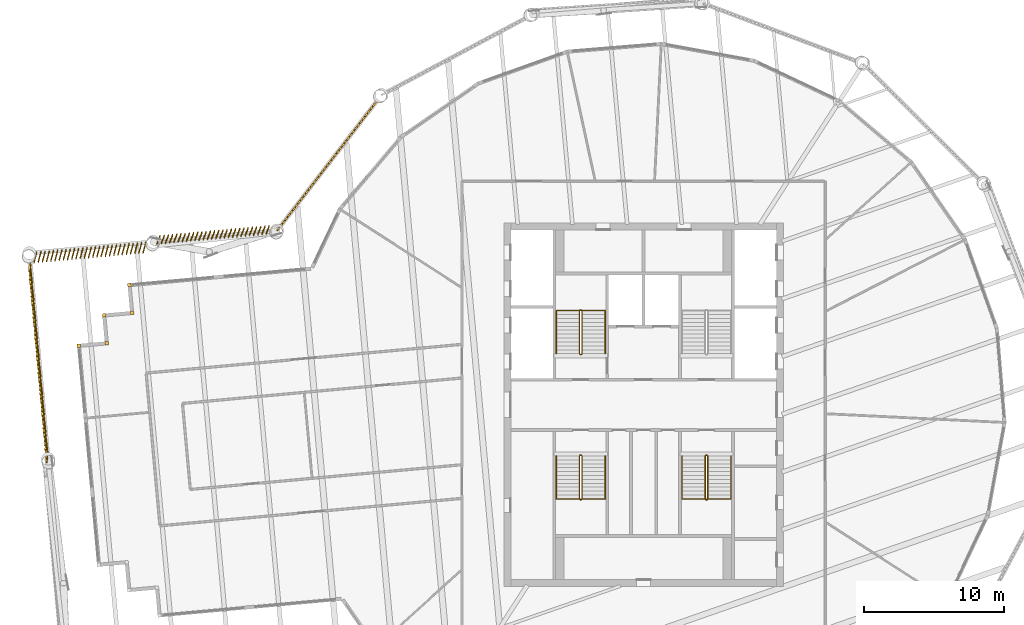
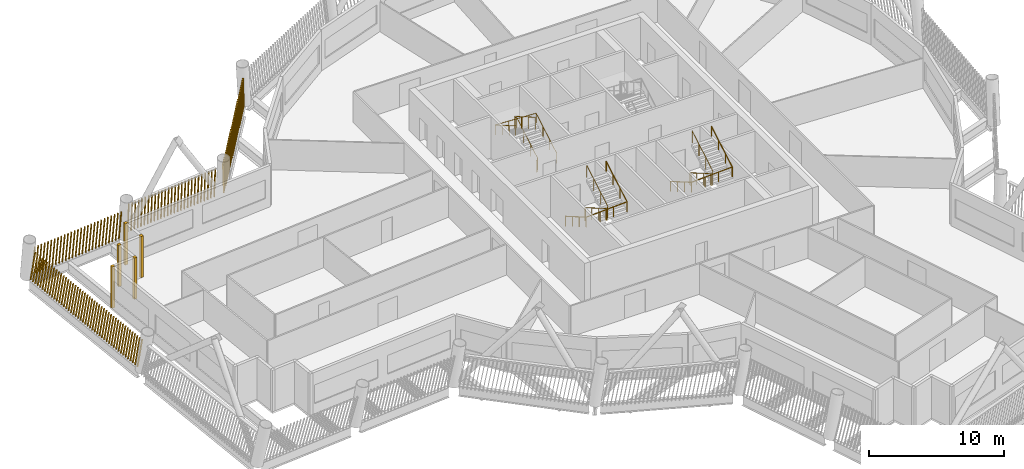
# One storey, part 20 of 23: 9 shading devices, 6 railings.
"""IFC4 building model written with IfcOpenShell, lengths in metres."""

from ifc_helpers import new_model, si_unit, direction, frame, frame_2d, origin, origin_2d, place, context, subcontext, project, spatial, rectangle, circle, composite_profile, extrude, material, type_object, element, save


model = new_model("IFC4")

# Units and contexts
model_context = context("Model", 3, precision=1e-05, world=origin(), true_north=direction((0.0, 1.0)))
body_context = subcontext(model_context, "Body", "Model", "MODEL_VIEW")
ifc_project = project(units=[si_unit("LENGTHUNIT", "METRE"), si_unit("AREAUNIT", "SQUARE_METRE"), si_unit("VOLUMEUNIT", "CUBIC_METRE"), si_unit("PLANEANGLEUNIT", "RADIAN"), si_unit("MASSUNIT", "GRAM", prefix="KILO")], contexts=[model_context])

# Site, building, storey
site_placement = place(None, origin())
site = spatial("IfcSite", under=ifc_project, at=site_placement, CompositionType="ELEMENT")
building_placement = place(site_placement, origin())
building = spatial("IfcBuilding", under=site, at=building_placement, Name="Tarsis Ring Headquarters", CompositionType="ELEMENT")
storey_placement = place(building_placement, frame((0.0, 0.0, 308.0)))
storey = spatial("IfcBuildingStorey", under=building, at=storey_placement, Name="L72", CompositionType="ELEMENT", Elevation=308.0)

# Railings
ifc_material_1 = material(Name="Steel S355", Category="steel")
railing_type_1 = type_object("IfcRailingType", Name="Core stair guard 1100", PredefinedType="GUARDRAIL", material=ifc_material_1)
railing_1_placement = place(storey_placement, frame((-4.5400390625, 3.610107421875, 0.0)))
element("IfcRailing", 1, at=railing_1_placement, inside=storey, type_object=railing_type_1, Name="L72 ST1 stair guard 1", PredefinedType="GUARDRAIL", context=body_context, shape_type="SweptSolid", body=[
    extrude(circle(Radius=0.02392578125, at=origin_2d()), frame((0.0, 0.0, 1.076171875), z_axis=(1.0, 0.0, 0.0), x_axis=(0.0, 1.0, 0.0)), (0.0, 0.0, 1.0), 0.080078125),
    extrude(circle(Radius=0.02392578125, at=origin_2d()), frame((0.080078125, 0.0, 1.076171875), z_axis=(0.282336740067, 0.280959487676, 0.917250092119), x_axis=(-0.705375805398, 0.708833529934, 0.0)), (0.0, 0.0, 1.0), 0.17724609375),
    extrude(circle(Radius=0.02392578125, at=origin_2d()), frame((0.130126953125, 0.0498046875, 1.23876953125), z_axis=(0.0, 0.864920483161, 0.501908913857), x_axis=(-1.0, 0.0, 0.0)), (0.0, 0.0, 1.0), 3.56103515625),
    extrude(circle(Radius=0.02392578125, at=origin_2d()), frame((0.130126953125, 3.1298828125, 3.02587890625), z_axis=(-0.707106781187, 0.707106781187, 0.0), x_axis=(-0.707106781187, -0.707106781187, 0.0)), (0.0, 0.0, 1.0), 0.07080078125),
    extrude(circle(Radius=0.02392578125, at=origin_2d()), frame((0.080078125, 3.179931640625, 3.02587890625), z_axis=(-1.0, 0.0, 0.0), x_axis=(0.0, -1.0, 0.0)), (0.0, 0.0, 1.0), 0.080078125),
    extrude(circle(Radius=0.02392578125, at=origin_2d()), frame((0.0, 3.179931640625, 3.02587890625), z_axis=(-0.282227285176, -0.282227285176, 0.916894497205), x_axis=(0.707106781187, -0.707106781187, 0.0)), (0.0, 0.0, 1.0), 0.17724609375),
    extrude(circle(Radius=0.02392578125, at=origin_2d()), frame((-0.050048828125, 3.1298828125, 3.1884765625), z_axis=(0.0, -0.864920483161, 0.501908913857), x_axis=(1.0, 0.0, 0.0)), (0.0, 0.0, 1.0), 3.56103515625),
    extrude(circle(Radius=0.02099609375, at=origin_2d()), origin(), (0.0, 0.0, 1.0), 1.052001953125),
    extrude(circle(Radius=0.02099609375, at=origin_2d()), frame((0.080078125, 0.0, 0.0)), (0.0, 0.0, 1.0), 1.052001953125),
    extrude(circle(Radius=0.02099609375, at=origin_2d()), frame((0.130126953125, 0.0498046875, 0.16259765625)), (0.0, 0.0, 1.0), 1.052001953125),
    extrude(circle(Radius=0.02099609375, at=origin_2d()), frame((0.130126953125, 1.076416015625, 0.75830078125)), (0.0, 0.0, 1.0), 1.052001953125),
    extrude(circle(Radius=0.02099609375, at=origin_2d()), frame((0.130126953125, 2.103271484375, 1.354248046875)), (0.0, 0.0, 1.0), 1.052001953125),
    extrude(circle(Radius=0.02099609375, at=origin_2d()), frame((0.130126953125, 3.1298828125, 1.949951171875)), (0.0, 0.0, 1.0), 1.052001953125),
    extrude(circle(Radius=0.02099609375, at=origin_2d()), frame((0.080078125, 3.179931640625, 1.949951171875)), (0.0, 0.0, 1.0), 1.052001953125),
    extrude(circle(Radius=0.02099609375, at=origin_2d()), frame((0.0, 3.179931640625, 1.949951171875)), (0.0, 0.0, 1.0), 1.052001953125),
    extrude(circle(Radius=0.02099609375, at=origin_2d()), frame((-0.050048828125, 3.1298828125, 2.112548828125)), (0.0, 0.0, 1.0), 1.052001953125),
    extrude(circle(Radius=0.02099609375, at=origin_2d()), frame((-0.050048828125, 2.103271484375, 2.708251953125)), (0.0, 0.0, 1.0), 1.052001953125),
    extrude(circle(Radius=0.02099609375, at=origin_2d()), frame((-0.050048828125, 1.076416015625, 3.30419921875)), (0.0, 0.0, 1.0), 1.052001953125),
    extrude(circle(Radius=0.02099609375, at=origin_2d()), frame((-0.050048828125, 0.0498046875, 3.89990234375)), (0.0, 0.0, 1.0), 1.052001953125),
])
railing_2_placement = place(storey_placement, frame((-4.4599609375, -3.610107421875, 0.0)))
element("IfcRailing", 2, at=railing_2_placement, inside=storey, type_object=railing_type_1, Name="L72 ST3 stair guard 1", PredefinedType="GUARDRAIL", context=body_context, shape_type="SweptSolid", body=[
    extrude(circle(Radius=0.02392578125, at=origin_2d()), frame((0.0, 0.0, 1.076171875), z_axis=(-1.0, 0.0, 0.0), x_axis=(0.0, -1.0, 0.0)), (0.0, 0.0, 1.0), 0.080078125),
    extrude(circle(Radius=0.02392578125, at=origin_2d()), frame((-0.080078125, 0.0, 1.076171875), z_axis=(-0.282336740067, -0.280959487676, 0.917250092119), x_axis=(0.705375805398, -0.708833529934, 0.0)), (0.0, 0.0, 1.0), 0.17724609375),
    extrude(circle(Radius=0.02392578125, at=origin_2d()), frame((-0.130126953125, -0.0498046875, 1.23876953125), z_axis=(0.0, -0.864920483161, 0.501908913857), x_axis=(1.0, 0.0, 0.0)), (0.0, 0.0, 1.0), 3.56103515625),
    extrude(circle(Radius=0.02392578125, at=origin_2d()), frame((-0.130126953125, -3.1298828125, 3.02587890625), z_axis=(0.707106781187, -0.707106781187, 0.0), x_axis=(0.707106781187, 0.707106781187, 0.0)), (0.0, 0.0, 1.0), 0.07080078125),
    extrude(circle(Radius=0.02392578125, at=origin_2d()), frame((-0.080078125, -3.179931640625, 3.02587890625), z_axis=(1.0, 0.0, 0.0), x_axis=(0.0, 1.0, 0.0)), (0.0, 0.0, 1.0), 0.080078125),
    extrude(circle(Radius=0.02392578125, at=origin_2d()), frame((0.0, -3.179931640625, 3.02587890625), z_axis=(0.282227285176, 0.282227285176, 0.916894497205), x_axis=(-0.707106781187, 0.707106781187, 0.0)), (0.0, 0.0, 1.0), 0.17724609375),
    extrude(circle(Radius=0.02392578125, at=origin_2d()), frame((0.050048828125, -3.1298828125, 3.1884765625), z_axis=(0.0, 0.864920483161, 0.501908913857), x_axis=(-1.0, 0.0, 0.0)), (0.0, 0.0, 1.0), 3.56103515625),
    extrude(circle(Radius=0.02099609375, at=origin_2d()), origin(), (0.0, 0.0, 1.0), 1.052001953125),
    extrude(circle(Radius=0.02099609375, at=origin_2d()), frame((-0.080078125, 0.0, 0.0)), (0.0, 0.0, 1.0), 1.052001953125),
    extrude(circle(Radius=0.02099609375, at=origin_2d()), frame((-0.130126953125, -0.0498046875, 0.16259765625)), (0.0, 0.0, 1.0), 1.052001953125),
    extrude(circle(Radius=0.02099609375, at=origin_2d()), frame((-0.130126953125, -1.076416015625, 0.75830078125)), (0.0, 0.0, 1.0), 1.052001953125),
    extrude(circle(Radius=0.02099609375, at=origin_2d()), frame((-0.130126953125, -2.103271484375, 1.354248046875)), (0.0, 0.0, 1.0), 1.052001953125),
    extrude(circle(Radius=0.02099609375, at=origin_2d()), frame((-0.130126953125, -3.1298828125, 1.949951171875)), (0.0, 0.0, 1.0), 1.052001953125),
    extrude(circle(Radius=0.02099609375, at=origin_2d()), frame((-0.080078125, -3.179931640625, 1.949951171875)), (0.0, 0.0, 1.0), 1.052001953125),
    extrude(circle(Radius=0.02099609375, at=origin_2d()), frame((0.0, -3.179931640625, 1.949951171875)), (0.0, 0.0, 1.0), 1.052001953125),
    extrude(circle(Radius=0.02099609375, at=origin_2d()), frame((0.050048828125, -3.1298828125, 2.112548828125)), (0.0, 0.0, 1.0), 1.052001953125),
    extrude(circle(Radius=0.02099609375, at=origin_2d()), frame((0.050048828125, -2.103271484375, 2.708251953125)), (0.0, 0.0, 1.0), 1.052001953125),
    extrude(circle(Radius=0.02099609375, at=origin_2d()), frame((0.050048828125, -1.076416015625, 3.30419921875)), (0.0, 0.0, 1.0), 1.052001953125),
    extrude(circle(Radius=0.02099609375, at=origin_2d()), frame((0.050048828125, -0.0498046875, 3.89990234375)), (0.0, 0.0, 1.0), 1.052001953125),
])
railing_3_placement = place(storey_placement, frame((4.5400390625, -3.610107421875, 0.0)))
element("IfcRailing", 3, at=railing_3_placement, inside=storey, type_object=railing_type_1, Name="L72 ST4 stair guard 1", PredefinedType="GUARDRAIL", context=body_context, shape_type="SweptSolid", body=[
    extrude(circle(Radius=0.02392578125, at=origin_2d()), frame((0.0, 0.0, 1.076171875), z_axis=(-1.0, 0.0, 0.0), x_axis=(0.0, -1.0, 0.0)), (0.0, 0.0, 1.0), 0.080078125),
    extrude(circle(Radius=0.02392578125, at=origin_2d()), frame((-0.080078125, 0.0, 1.076171875), z_axis=(-0.282336740067, -0.280959487676, 0.917250092119), x_axis=(0.705375805398, -0.708833529934, 0.0)), (0.0, 0.0, 1.0), 0.17724609375),
    extrude(circle(Radius=0.02392578125, at=origin_2d()), frame((-0.130126953125, -0.0498046875, 1.23876953125), z_axis=(0.0, -0.864920483161, 0.501908913857), x_axis=(1.0, 0.0, 0.0)), (0.0, 0.0, 1.0), 3.56103515625),
    extrude(circle(Radius=0.02392578125, at=origin_2d()), frame((-0.130126953125, -3.1298828125, 3.02587890625), z_axis=(0.707106781187, -0.707106781187, 0.0), x_axis=(0.707106781187, 0.707106781187, 0.0)), (0.0, 0.0, 1.0), 0.07080078125),
    extrude(circle(Radius=0.02392578125, at=origin_2d()), frame((-0.080078125, -3.179931640625, 3.02587890625), z_axis=(1.0, 0.0, 0.0), x_axis=(0.0, 1.0, 0.0)), (0.0, 0.0, 1.0), 0.080078125),
    extrude(circle(Radius=0.02392578125, at=origin_2d()), frame((0.0, -3.179931640625, 3.02587890625), z_axis=(0.282227285176, 0.282227285176, 0.916894497205), x_axis=(-0.707106781187, 0.707106781187, 0.0)), (0.0, 0.0, 1.0), 0.17724609375),
    extrude(circle(Radius=0.02392578125, at=origin_2d()), frame((0.050048828125, -3.1298828125, 3.1884765625), z_axis=(0.0, 0.864920483161, 0.501908913857), x_axis=(-1.0, 0.0, 0.0)), (0.0, 0.0, 1.0), 3.56103515625),
    extrude(circle(Radius=0.02099609375, at=origin_2d()), origin(), (0.0, 0.0, 1.0), 1.052001953125),
    extrude(circle(Radius=0.02099609375, at=origin_2d()), frame((-0.080078125, 0.0, 0.0)), (0.0, 0.0, 1.0), 1.052001953125),
    extrude(circle(Radius=0.02099609375, at=origin_2d()), frame((-0.130126953125, -0.0498046875, 0.16259765625)), (0.0, 0.0, 1.0), 1.052001953125),
    extrude(circle(Radius=0.02099609375, at=origin_2d()), frame((-0.130126953125, -1.076416015625, 0.75830078125)), (0.0, 0.0, 1.0), 1.052001953125),
    extrude(circle(Radius=0.02099609375, at=origin_2d()), frame((-0.130126953125, -2.103271484375, 1.354248046875)), (0.0, 0.0, 1.0), 1.052001953125),
    extrude(circle(Radius=0.02099609375, at=origin_2d()), frame((-0.130126953125, -3.1298828125, 1.949951171875)), (0.0, 0.0, 1.0), 1.052001953125),
    extrude(circle(Radius=0.02099609375, at=origin_2d()), frame((-0.080078125, -3.179931640625, 1.949951171875)), (0.0, 0.0, 1.0), 1.052001953125),
    extrude(circle(Radius=0.02099609375, at=origin_2d()), frame((0.0, -3.179931640625, 1.949951171875)), (0.0, 0.0, 1.0), 1.052001953125),
    extrude(circle(Radius=0.02099609375, at=origin_2d()), frame((0.050048828125, -3.1298828125, 2.112548828125)), (0.0, 0.0, 1.0), 1.052001953125),
    extrude(circle(Radius=0.02099609375, at=origin_2d()), frame((0.050048828125, -2.103271484375, 2.708251953125)), (0.0, 0.0, 1.0), 1.052001953125),
    extrude(circle(Radius=0.02099609375, at=origin_2d()), frame((0.050048828125, -1.076416015625, 3.30419921875)), (0.0, 0.0, 1.0), 1.052001953125),
    extrude(circle(Radius=0.02099609375, at=origin_2d()), frame((0.050048828125, -0.0498046875, 3.89990234375)), (0.0, 0.0, 1.0), 1.052001953125),
])
railing_type_2 = type_object("IfcRailingType", Name="Core stair handrail 900", PredefinedType="HANDRAIL", material=ifc_material_1)
railing_4_placement = place(storey_placement, frame((-2.75, 3.659912109375, 0.16259765625)))
element("IfcRailing", 4, at=railing_4_placement, inside=storey, type_object=railing_type_2, Name="L72 ST1 stair handrail 1", PredefinedType="HANDRAIL", context=body_context, shape_type="SweptSolid", body=[
    extrude(circle(Radius=0.02392578125, at=origin_2d()), frame((0.0, 0.0, 0.8759765625), z_axis=(0.0, 0.864920483161, 0.501908913857), x_axis=(-1.0, 0.0, 0.0)), (0.0, 0.0, 1.0), 3.56103515625),
    extrude(circle(Radius=0.02392578125, at=origin_2d()), frame((0.0, 3.080078125, 2.6630859375), z_axis=(-0.998922641604, 0.0, 0.046406422943), x_axis=(0.0, -1.0, 0.0)), (0.0, 0.0, 1.0), 3.503662109375),
    extrude(circle(Radius=0.02392578125, at=origin_2d()), frame((-3.5, 3.080078125, 2.82568359375), z_axis=(0.0, -0.864920483161, 0.501908913857), x_axis=(1.0, 0.0, 0.0)), (0.0, 0.0, 1.0), 3.56103515625),
    extrude(circle(Radius=0.02099609375, at=origin_2d()), origin(), (0.0, 0.0, 1.0), 0.851806640625),
    extrude(circle(Radius=0.02099609375, at=origin_2d()), frame((0.0, 1.026611328125, 0.595703125)), (0.0, 0.0, 1.0), 0.851806640625),
    extrude(circle(Radius=0.02099609375, at=origin_2d()), frame((0.0, 2.053466796875, 1.191650390625)), (0.0, 0.0, 1.0), 0.851806640625),
    extrude(circle(Radius=0.02099609375, at=origin_2d()), frame((0.0, 3.080078125, 1.787353515625)), (0.0, 0.0, 1.0), 0.851806640625),
    extrude(circle(Radius=0.02099609375, at=origin_2d()), frame((-1.166748046875, 3.080078125, 1.841552734375)), (0.0, 0.0, 1.0), 0.851806640625),
    extrude(circle(Radius=0.02099609375, at=origin_2d()), frame((-2.333251953125, 3.080078125, 1.895751953125)), (0.0, 0.0, 1.0), 0.851806640625),
    extrude(circle(Radius=0.02099609375, at=origin_2d()), frame((-3.5, 3.080078125, 1.949951171875)), (0.0, 0.0, 1.0), 0.851806640625),
    extrude(circle(Radius=0.02099609375, at=origin_2d()), frame((-3.5, 2.053466796875, 2.545654296875)), (0.0, 0.0, 1.0), 0.851806640625),
    extrude(circle(Radius=0.02099609375, at=origin_2d()), frame((-3.5, 1.026611328125, 3.1416015625)), (0.0, 0.0, 1.0), 0.851806640625),
    extrude(circle(Radius=0.02099609375, at=origin_2d()), frame((-3.5, 0.0, 3.7373046875)), (0.0, 0.0, 1.0), 0.851806640625),
])
railing_5_placement = place(storey_placement, frame((-6.25, -3.659912109375, 0.16259765625)))
element("IfcRailing", 5, at=railing_5_placement, inside=storey, type_object=railing_type_2, Name="L72 ST3 stair handrail 1", PredefinedType="HANDRAIL", context=body_context, shape_type="SweptSolid", body=[
    extrude(circle(Radius=0.02392578125, at=origin_2d()), frame((0.0, 0.0, 0.8759765625), z_axis=(0.0, -0.864920483161, 0.501908913857), x_axis=(1.0, 0.0, 0.0)), (0.0, 0.0, 1.0), 3.56103515625),
    extrude(circle(Radius=0.02392578125, at=origin_2d()), frame((0.0, -3.080078125, 2.6630859375), z_axis=(0.998922641604, 0.0, 0.046406422943), x_axis=(0.0, 1.0, 0.0)), (0.0, 0.0, 1.0), 3.503662109375),
    extrude(circle(Radius=0.02392578125, at=origin_2d()), frame((3.5, -3.080078125, 2.82568359375), z_axis=(0.0, 0.864920483161, 0.501908913857), x_axis=(-1.0, 0.0, 0.0)), (0.0, 0.0, 1.0), 3.56103515625),
    extrude(circle(Radius=0.02099609375, at=origin_2d()), origin(), (0.0, 0.0, 1.0), 0.851806640625),
    extrude(circle(Radius=0.02099609375, at=origin_2d()), frame((0.0, -1.026611328125, 0.595703125)), (0.0, 0.0, 1.0), 0.851806640625),
    extrude(circle(Radius=0.02099609375, at=origin_2d()), frame((0.0, -2.053466796875, 1.191650390625)), (0.0, 0.0, 1.0), 0.851806640625),
    extrude(circle(Radius=0.02099609375, at=origin_2d()), frame((0.0, -3.080078125, 1.787353515625)), (0.0, 0.0, 1.0), 0.851806640625),
    extrude(circle(Radius=0.02099609375, at=origin_2d()), frame((1.166748046875, -3.080078125, 1.841552734375)), (0.0, 0.0, 1.0), 0.851806640625),
    extrude(circle(Radius=0.02099609375, at=origin_2d()), frame((2.333251953125, -3.080078125, 1.895751953125)), (0.0, 0.0, 1.0), 0.851806640625),
    extrude(circle(Radius=0.02099609375, at=origin_2d()), frame((3.5, -3.080078125, 1.949951171875)), (0.0, 0.0, 1.0), 0.851806640625),
    extrude(circle(Radius=0.02099609375, at=origin_2d()), frame((3.5, -2.053466796875, 2.545654296875)), (0.0, 0.0, 1.0), 0.851806640625),
    extrude(circle(Radius=0.02099609375, at=origin_2d()), frame((3.5, -1.026611328125, 3.1416015625)), (0.0, 0.0, 1.0), 0.851806640625),
    extrude(circle(Radius=0.02099609375, at=origin_2d()), frame((3.5, 0.0, 3.7373046875)), (0.0, 0.0, 1.0), 0.851806640625),
])
railing_6_placement = place(storey_placement, frame((2.75, -3.659912109375, 0.16259765625)))
element("IfcRailing", 6, at=railing_6_placement, inside=storey, type_object=railing_type_2, Name="L72 ST4 stair handrail 1", PredefinedType="HANDRAIL", context=body_context, shape_type="SweptSolid", body=[
    extrude(circle(Radius=0.02392578125, at=origin_2d()), frame((0.0, 0.0, 0.8759765625), z_axis=(0.0, -0.864920483161, 0.501908913857), x_axis=(1.0, 0.0, 0.0)), (0.0, 0.0, 1.0), 3.56103515625),
    extrude(circle(Radius=0.02392578125, at=origin_2d()), frame((0.0, -3.080078125, 2.6630859375), z_axis=(0.998922641604, 0.0, 0.046406422943), x_axis=(0.0, 1.0, 0.0)), (0.0, 0.0, 1.0), 3.503662109375),
    extrude(circle(Radius=0.02392578125, at=origin_2d()), frame((3.5, -3.080078125, 2.82568359375), z_axis=(0.0, 0.864920483161, 0.501908913857), x_axis=(-1.0, 0.0, 0.0)), (0.0, 0.0, 1.0), 3.56103515625),
    extrude(circle(Radius=0.02099609375, at=origin_2d()), origin(), (0.0, 0.0, 1.0), 0.851806640625),
    extrude(circle(Radius=0.02099609375, at=origin_2d()), frame((0.0, -1.026611328125, 0.595703125)), (0.0, 0.0, 1.0), 0.851806640625),
    extrude(circle(Radius=0.02099609375, at=origin_2d()), frame((0.0, -2.053466796875, 1.191650390625)), (0.0, 0.0, 1.0), 0.851806640625),
    extrude(circle(Radius=0.02099609375, at=origin_2d()), frame((0.0, -3.080078125, 1.787353515625)), (0.0, 0.0, 1.0), 0.851806640625),
    extrude(circle(Radius=0.02099609375, at=origin_2d()), frame((1.166748046875, -3.080078125, 1.841552734375)), (0.0, 0.0, 1.0), 0.851806640625),
    extrude(circle(Radius=0.02099609375, at=origin_2d()), frame((2.333251953125, -3.080078125, 1.895751953125)), (0.0, 0.0, 1.0), 0.851806640625),
    extrude(circle(Radius=0.02099609375, at=origin_2d()), frame((3.5, -3.080078125, 1.949951171875)), (0.0, 0.0, 1.0), 0.851806640625),
    extrude(circle(Radius=0.02099609375, at=origin_2d()), frame((3.5, -2.053466796875, 2.545654296875)), (0.0, 0.0, 1.0), 0.851806640625),
    extrude(circle(Radius=0.02099609375, at=origin_2d()), frame((3.5, -1.026611328125, 3.1416015625)), (0.0, 0.0, 1.0), 0.851806640625),
    extrude(circle(Radius=0.02099609375, at=origin_2d()), frame((3.5, 0.0, 3.7373046875)), (0.0, 0.0, 1.0), 0.851806640625),
])

# Shading devices
ifc_material_2 = material(Name="Terracotta baguette", Category="masonry")
shading_device_type_1 = type_object("IfcShadingDeviceType", Name="Terracotta baguette screen", PredefinedType="USERDEFINED", material=ifc_material_2)
shading_device_1_placement = place(storey_placement, frame((-19.065185546875, 21.781982421875, 0.0), z_axis=(0.0, 0.0, 1.0), x_axis=(-0.610179055887, -0.792273467173, 0.0)))
element("IfcShadingDevice", 7, at=shading_device_1_placement, inside=storey, type_object=shading_device_type_1, Name="Baguette screen L72-14", ObjectType="Terracotta baguette screen", PredefinedType="USERDEFINED", context=body_context, shape_type="SweptSolid", body=[
    extrude(composite_profile([rectangle(XDim=0.06005859375, YDim=0.1201171875, at=frame_2d((0.030029296875, 0.0))), rectangle(XDim=0.06005859375, YDim=0.1201171875, at=frame_2d((0.33251953125, 0.0))), rectangle(XDim=0.06005859375, YDim=0.1201171875, at=frame_2d((0.634765625, 0.0))), rectangle(XDim=0.06005859375, YDim=0.1201171875, at=frame_2d((0.937255859375, 0.0))), rectangle(XDim=0.06005859375, YDim=0.1201171875, at=frame_2d((1.239501953125, 0.0))), rectangle(XDim=0.06005859375, YDim=0.1201171875, at=frame_2d((1.5419921875, 0.0))), rectangle(XDim=0.06005859375, YDim=0.1201171875, at=frame_2d((1.844482421875, 0.0))), rectangle(XDim=0.06005859375, YDim=0.1201171875, at=frame_2d((2.146728515625, 0.0))), rectangle(XDim=0.06005859375, YDim=0.1201171875, at=frame_2d((2.44921875, 0.0))), rectangle(XDim=0.06005859375, YDim=0.1201171875, at=frame_2d((2.751708984375, 0.0))), rectangle(XDim=0.06005859375, YDim=0.1201171875, at=frame_2d((3.053955078125, 0.0))), rectangle(XDim=0.06005859375, YDim=0.1201171875, at=frame_2d((3.3564453125, 0.0))), rectangle(XDim=0.06005859375, YDim=0.1201171875, at=frame_2d((3.65869140625, 0.0))), rectangle(XDim=0.06005859375, YDim=0.1201171875, at=frame_2d((3.961181640625, 0.0))), rectangle(XDim=0.06005859375, YDim=0.1201171875, at=frame_2d((4.263671875, 0.0))), rectangle(XDim=0.06005859375, YDim=0.1201171875, at=frame_2d((4.56591796875, 0.0))), rectangle(XDim=0.06005859375, YDim=0.1201171875, at=frame_2d((4.868408203125, 0.0))), rectangle(XDim=0.06005859375, YDim=0.1201171875, at=frame_2d((5.1708984375, 0.0))), rectangle(XDim=0.06005859375, YDim=0.1201171875, at=frame_2d((5.47314453125, 0.0))), rectangle(XDim=0.06005859375, YDim=0.1201171875, at=frame_2d((5.775634765625, 0.0))), rectangle(XDim=0.06005859375, YDim=0.1201171875, at=frame_2d((6.077880859375, 0.0))), rectangle(XDim=0.06005859375, YDim=0.1201171875, at=frame_2d((6.38037109375, 0.0))), rectangle(XDim=0.06005859375, YDim=0.1201171875, at=frame_2d((6.682861328125, 0.0))), rectangle(XDim=0.06005859375, YDim=0.1201171875, at=frame_2d((6.985107421875, 0.0))), rectangle(XDim=0.06005859375, YDim=0.1201171875, at=frame_2d((7.28759765625, 0.0))), rectangle(XDim=0.06005859375, YDim=0.1201171875, at=frame_2d((7.590087890625, 0.0))), rectangle(XDim=0.06005859375, YDim=0.1201171875, at=frame_2d((7.892333984375, 0.0))), rectangle(XDim=0.06005859375, YDim=0.1201171875, at=frame_2d((8.19482421875, 0.0))), rectangle(XDim=0.06005859375, YDim=0.1201171875, at=frame_2d((8.4970703125, 0.0))), rectangle(XDim=0.06005859375, YDim=0.1201171875, at=frame_2d((8.799560546875, 0.0))), rectangle(XDim=0.06005859375, YDim=0.1201171875, at=frame_2d((9.10205078125, 0.0))), rectangle(XDim=0.06005859375, YDim=0.1201171875, at=frame_2d((9.404296875, 0.0))), rectangle(XDim=0.06005859375, YDim=0.1201171875, at=frame_2d((9.706787109375, 0.0))), rectangle(XDim=0.06005859375, YDim=0.1201171875, at=frame_2d((10.00927734375, 0.0))), rectangle(XDim=0.06005859375, YDim=0.1201171875, at=frame_2d((10.3115234375, 0.0))), rectangle(XDim=0.06005859375, YDim=0.1201171875, at=frame_2d((10.614013671875, 0.0))), rectangle(XDim=0.06005859375, YDim=0.1201171875, at=frame_2d((10.916259765625, 0.0))), rectangle(XDim=0.06005859375, YDim=0.1201171875, at=frame_2d((11.21875, 0.0)))]), origin(), (0.171103007673, 0.001555424823, 0.985251917744), 3.01220703125),
])
shading_device_2_placement = place(storey_placement, frame((-26.765869140625, 12.8017578125, 0.0), z_axis=(0.0, 0.0, 1.0), x_axis=(-0.99589100346, -0.090614186851, 0.0)))
element("IfcShadingDevice", 8, at=shading_device_2_placement, inside=storey, type_object=shading_device_type_1, Name="Baguette screen L72-15", ObjectType="Terracotta baguette screen", PredefinedType="USERDEFINED", context=body_context, shape_type="SweptSolid", body=[
    extrude(composite_profile([rectangle(XDim=0.06005859375, YDim=0.1201171875, at=frame_2d((0.030029296875, 0.0))), rectangle(XDim=0.06005859375, YDim=0.1201171875, at=frame_2d((0.33154296875, 0.0))), rectangle(XDim=0.06005859375, YDim=0.1201171875, at=frame_2d((0.63330078125, 0.0))), rectangle(XDim=0.06005859375, YDim=0.1201171875, at=frame_2d((0.934814453125, 0.0))), rectangle(XDim=0.06005859375, YDim=0.1201171875, at=frame_2d((1.236572265625, 0.0))), rectangle(XDim=0.06005859375, YDim=0.1201171875, at=frame_2d((1.5380859375, 0.0))), rectangle(XDim=0.06005859375, YDim=0.1201171875, at=frame_2d((1.83984375, 0.0))), rectangle(XDim=0.06005859375, YDim=0.1201171875, at=frame_2d((2.141357421875, 0.0))), rectangle(XDim=0.06005859375, YDim=0.1201171875, at=frame_2d((2.443115234375, 0.0))), rectangle(XDim=0.06005859375, YDim=0.1201171875, at=frame_2d((2.74462890625, 0.0))), rectangle(XDim=0.06005859375, YDim=0.1201171875, at=frame_2d((3.04638671875, 0.0))), rectangle(XDim=0.06005859375, YDim=0.1201171875, at=frame_2d((3.347900390625, 0.0))), rectangle(XDim=0.06005859375, YDim=0.1201171875, at=frame_2d((3.649658203125, 0.0))), rectangle(XDim=0.06005859375, YDim=0.1201171875, at=frame_2d((3.951171875, 0.0))), rectangle(XDim=0.06005859375, YDim=0.1201171875, at=frame_2d((4.252685546875, 0.0))), rectangle(XDim=0.06005859375, YDim=0.1201171875, at=frame_2d((4.554443359375, 0.0))), rectangle(XDim=0.06005859375, YDim=0.1201171875, at=frame_2d((4.85595703125, 0.0))), rectangle(XDim=0.06005859375, YDim=0.1201171875, at=frame_2d((5.15771484375, 0.0))), rectangle(XDim=0.06005859375, YDim=0.1201171875, at=frame_2d((5.459228515625, 0.0))), rectangle(XDim=0.06005859375, YDim=0.1201171875, at=frame_2d((5.760986328125, 0.0))), rectangle(XDim=0.06005859375, YDim=0.1201171875, at=frame_2d((6.0625, 0.0))), rectangle(XDim=0.06005859375, YDim=0.1201171875, at=frame_2d((6.3642578125, 0.0))), rectangle(XDim=0.06005859375, YDim=0.1201171875, at=frame_2d((6.665771484375, 0.0))), rectangle(XDim=0.06005859375, YDim=0.1201171875, at=frame_2d((6.967529296875, 0.0))), rectangle(XDim=0.06005859375, YDim=0.1201171875, at=frame_2d((7.26904296875, 0.0))), rectangle(XDim=0.06005859375, YDim=0.1201171875, at=frame_2d((7.57080078125, 0.0))), rectangle(XDim=0.06005859375, YDim=0.1201171875, at=frame_2d((7.872314453125, 0.0)))]), origin(), (0.089354714249, 0.177332909244, 0.980086105575), 3.028076171875),
])
shading_device_3_placement = place(storey_placement, frame((-35.59765625, 11.62158203125, 0.0), z_axis=(0.0, 0.0, 1.0), x_axis=(-0.99589087651, -0.090647882102, 0.0)))
element("IfcShadingDevice", 9, at=shading_device_3_placement, inside=storey, type_object=shading_device_type_1, Name="Baguette screen L72-16", ObjectType="Terracotta baguette screen", PredefinedType="USERDEFINED", context=body_context, shape_type="SweptSolid", body=[
    extrude(composite_profile([rectangle(XDim=0.06005859375, YDim=0.1201171875, at=frame_2d((0.030029296875, 0.0))), rectangle(XDim=0.06005859375, YDim=0.1201171875, at=frame_2d((0.33154296875, 0.0))), rectangle(XDim=0.06005859375, YDim=0.1201171875, at=frame_2d((0.63330078125, 0.0))), rectangle(XDim=0.06005859375, YDim=0.1201171875, at=frame_2d((0.934814453125, 0.0))), rectangle(XDim=0.06005859375, YDim=0.1201171875, at=frame_2d((1.236572265625, 0.0))), rectangle(XDim=0.06005859375, YDim=0.1201171875, at=frame_2d((1.5380859375, 0.0))), rectangle(XDim=0.06005859375, YDim=0.1201171875, at=frame_2d((1.83984375, 0.0))), rectangle(XDim=0.06005859375, YDim=0.1201171875, at=frame_2d((2.141357421875, 0.0))), rectangle(XDim=0.06005859375, YDim=0.1201171875, at=frame_2d((2.443115234375, 0.0))), rectangle(XDim=0.06005859375, YDim=0.1201171875, at=frame_2d((2.74462890625, 0.0))), rectangle(XDim=0.06005859375, YDim=0.1201171875, at=frame_2d((3.04638671875, 0.0))), rectangle(XDim=0.06005859375, YDim=0.1201171875, at=frame_2d((3.347900390625, 0.0))), rectangle(XDim=0.06005859375, YDim=0.1201171875, at=frame_2d((3.649658203125, 0.0))), rectangle(XDim=0.06005859375, YDim=0.1201171875, at=frame_2d((3.951171875, 0.0))), rectangle(XDim=0.06005859375, YDim=0.1201171875, at=frame_2d((4.252685546875, 0.0))), rectangle(XDim=0.06005859375, YDim=0.1201171875, at=frame_2d((4.554443359375, 0.0))), rectangle(XDim=0.06005859375, YDim=0.1201171875, at=frame_2d((4.85595703125, 0.0))), rectangle(XDim=0.06005859375, YDim=0.1201171875, at=frame_2d((5.15771484375, 0.0))), rectangle(XDim=0.06005859375, YDim=0.1201171875, at=frame_2d((5.459228515625, 0.0))), rectangle(XDim=0.06005859375, YDim=0.1201171875, at=frame_2d((5.760986328125, 0.0))), rectangle(XDim=0.06005859375, YDim=0.1201171875, at=frame_2d((6.0625, 0.0))), rectangle(XDim=0.06005859375, YDim=0.1201171875, at=frame_2d((6.3642578125, 0.0))), rectangle(XDim=0.06005859375, YDim=0.1201171875, at=frame_2d((6.665771484375, 0.0))), rectangle(XDim=0.06005859375, YDim=0.1201171875, at=frame_2d((6.967529296875, 0.0))), rectangle(XDim=0.06005859375, YDim=0.1201171875, at=frame_2d((7.26904296875, 0.0))), rectangle(XDim=0.06005859375, YDim=0.1201171875, at=frame_2d((7.57080078125, 0.0))), rectangle(XDim=0.06005859375, YDim=0.1201171875, at=frame_2d((7.872314453125, 0.0)))]), origin(), (0.085722426656, 0.228254753417, 0.969820309702), 3.06005859375),
])
shading_device_4_placement = place(storey_placement, frame((-43.919921875, 10.362060546875, 0.0), z_axis=(0.0, 0.0, 1.0), x_axis=(0.090632463512, -0.995877930119, 0.0)))
element("IfcShadingDevice", 10, at=shading_device_4_placement, inside=storey, type_object=shading_device_type_1, Name="Baguette screen L72-17", ObjectType="Terracotta baguette screen", PredefinedType="USERDEFINED", context=body_context, shape_type="SweptSolid", body=[
    extrude(composite_profile([rectangle(XDim=0.06005859375, YDim=0.1201171875, at=frame_2d((0.030029296875, 0.0))), rectangle(XDim=0.06005859375, YDim=0.1201171875, at=frame_2d((0.33544921875, 0.0))), rectangle(XDim=0.06005859375, YDim=0.1201171875, at=frame_2d((0.640625, 0.0))), rectangle(XDim=0.06005859375, YDim=0.1201171875, at=frame_2d((0.946044921875, 0.0))), rectangle(XDim=0.06005859375, YDim=0.1201171875, at=frame_2d((1.25146484375, 0.0))), rectangle(XDim=0.06005859375, YDim=0.1201171875, at=frame_2d((1.556640625, 0.0))), rectangle(XDim=0.06005859375, YDim=0.1201171875, at=frame_2d((1.862060546875, 0.0))), rectangle(XDim=0.06005859375, YDim=0.1201171875, at=frame_2d((2.16748046875, 0.0))), rectangle(XDim=0.06005859375, YDim=0.1201171875, at=frame_2d((2.47265625, 0.0))), rectangle(XDim=0.06005859375, YDim=0.1201171875, at=frame_2d((2.778076171875, 0.0))), rectangle(XDim=0.06005859375, YDim=0.1201171875, at=frame_2d((3.08349609375, 0.0))), rectangle(XDim=0.06005859375, YDim=0.1201171875, at=frame_2d((3.388671875, 0.0))), rectangle(XDim=0.06005859375, YDim=0.1201171875, at=frame_2d((3.694091796875, 0.0))), rectangle(XDim=0.06005859375, YDim=0.1201171875, at=frame_2d((3.99951171875, 0.0))), rectangle(XDim=0.06005859375, YDim=0.1201171875, at=frame_2d((4.3046875, 0.0))), rectangle(XDim=0.06005859375, YDim=0.1201171875, at=frame_2d((4.610107421875, 0.0))), rectangle(XDim=0.06005859375, YDim=0.1201171875, at=frame_2d((4.91552734375, 0.0))), rectangle(XDim=0.06005859375, YDim=0.1201171875, at=frame_2d((5.220703125, 0.0))), rectangle(XDim=0.06005859375, YDim=0.1201171875, at=frame_2d((5.526123046875, 0.0))), rectangle(XDim=0.06005859375, YDim=0.1201171875, at=frame_2d((5.83154296875, 0.0))), rectangle(XDim=0.06005859375, YDim=0.1201171875, at=frame_2d((6.13671875, 0.0))), rectangle(XDim=0.06005859375, YDim=0.1201171875, at=frame_2d((6.442138671875, 0.0))), rectangle(XDim=0.06005859375, YDim=0.1201171875, at=frame_2d((6.74755859375, 0.0))), rectangle(XDim=0.06005859375, YDim=0.1201171875, at=frame_2d((7.052734375, 0.0))), rectangle(XDim=0.06005859375, YDim=0.1201171875, at=frame_2d((7.358154296875, 0.0))), rectangle(XDim=0.06005859375, YDim=0.1201171875, at=frame_2d((7.66357421875, 0.0))), rectangle(XDim=0.06005859375, YDim=0.1201171875, at=frame_2d((7.96875, 0.0))), rectangle(XDim=0.06005859375, YDim=0.1201171875, at=frame_2d((8.274169921875, 0.0))), rectangle(XDim=0.06005859375, YDim=0.1201171875, at=frame_2d((8.57958984375, 0.0))), rectangle(XDim=0.06005859375, YDim=0.1201171875, at=frame_2d((8.884765625, 0.0))), rectangle(XDim=0.06005859375, YDim=0.1201171875, at=frame_2d((9.190185546875, 0.0))), rectangle(XDim=0.06005859375, YDim=0.1201171875, at=frame_2d((9.49560546875, 0.0))), rectangle(XDim=0.06005859375, YDim=0.1201171875, at=frame_2d((9.80078125, 0.0))), rectangle(XDim=0.06005859375, YDim=0.1201171875, at=frame_2d((10.106201171875, 0.0))), rectangle(XDim=0.06005859375, YDim=0.1201171875, at=frame_2d((10.41162109375, 0.0))), rectangle(XDim=0.06005859375, YDim=0.1201171875, at=frame_2d((10.716796875, 0.0))), rectangle(XDim=0.06005859375, YDim=0.1201171875, at=frame_2d((11.022216796875, 0.0))), rectangle(XDim=0.06005859375, YDim=0.1201171875, at=frame_2d((11.32763671875, 0.0))), rectangle(XDim=0.06005859375, YDim=0.1201171875, at=frame_2d((11.6328125, 0.0))), rectangle(XDim=0.06005859375, YDim=0.1201171875, at=frame_2d((11.938232421875, 0.0))), rectangle(XDim=0.06005859375, YDim=0.1201171875, at=frame_2d((12.24365234375, 0.0))), rectangle(XDim=0.06005859375, YDim=0.1201171875, at=frame_2d((12.548828125, 0.0))), rectangle(XDim=0.06005859375, YDim=0.1201171875, at=frame_2d((12.854248046875, 0.0))), rectangle(XDim=0.06005859375, YDim=0.1201171875, at=frame_2d((13.15966796875, 0.0))), rectangle(XDim=0.06005859375, YDim=0.1201171875, at=frame_2d((13.46484375, 0.0))), rectangle(XDim=0.06005859375, YDim=0.1201171875, at=frame_2d((13.770263671875, 0.0)))]), origin(), (0.253379079966, -0.041444108207, 0.966478881161), 3.07080078125),
])
shading_device_type_2 = type_object("IfcShadingDeviceType", Name="Terracotta corner baguette 250x250", PredefinedType="USERDEFINED", material=ifc_material_2)
for number, where, z_axis, x_axis, name in (
    (11, (-36.8037109375, 8.57470703125, 0.0), (0.0, 0.0, 1.0), (-0.995884400198, -0.090632562816, 0.0), "Corner baguette L72-32"),
    (12, (-36.622314453125, 6.5830078125, 0.0), (0.0, 0.0, 1.0), (0.09063249329, -0.995884406525, 0.0), "Corner baguette L72-33"),
    (13, (-38.614013671875, 6.401611328125, 0.0), (0.0, 0.0, 1.0), (-0.995884362234, -0.090632979971, 0.0), "Corner baguette L72-34"),
    (14, (-38.432861328125, 4.409912109375, 0.0), (0.0, 0.0, 1.0), (0.090633032116, -0.995884357488, 0.0), "Corner baguette L72-35"),
    (15, (-40.424560546875, 4.228515625, 0.0), (0.0, 0.0, 1.0), (-0.995884411271, -0.090632441146, 0.0), "Corner baguette L72-36"),
):
    element("IfcShadingDevice", number, at=place(storey_placement, frame(where, z_axis=z_axis, x_axis=x_axis)), inside=storey, type_object=shading_device_type_2, Name=name, ObjectType="Terracotta corner baguette", PredefinedType="USERDEFINED", context=body_context, shape_type="SweptSolid", body=[
        extrude(rectangle(XDim=0.25, YDim=0.25, at=origin_2d()), origin(), (0.0, 0.0, 1.0), 3.739990234375),
    ])

save(model, "model.ifc")
